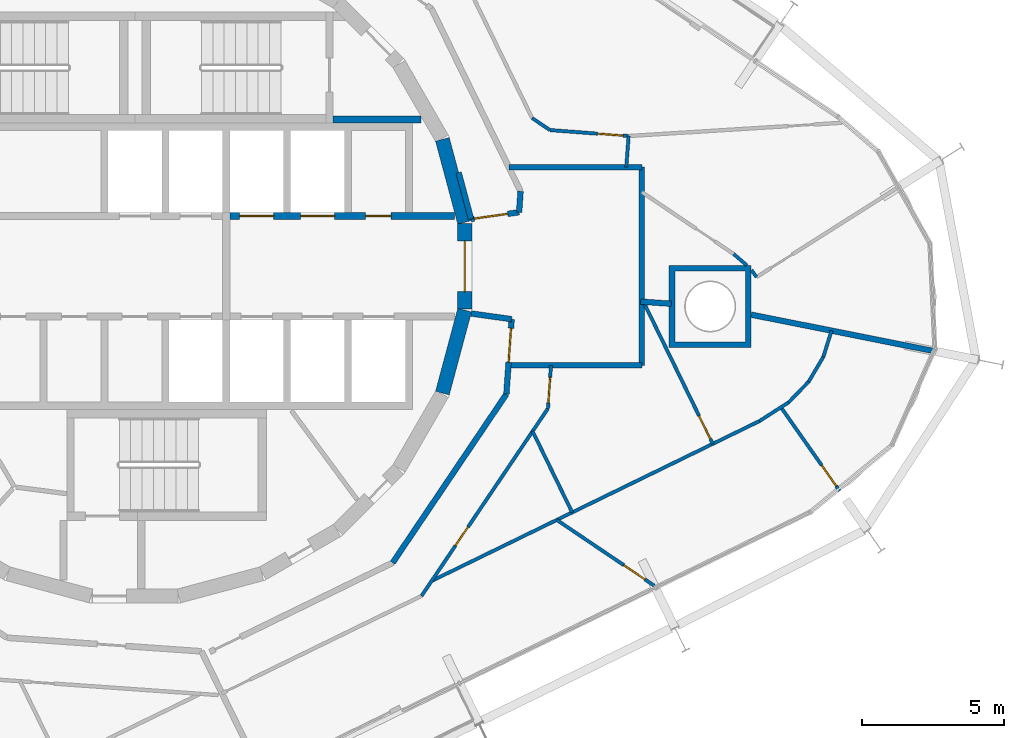
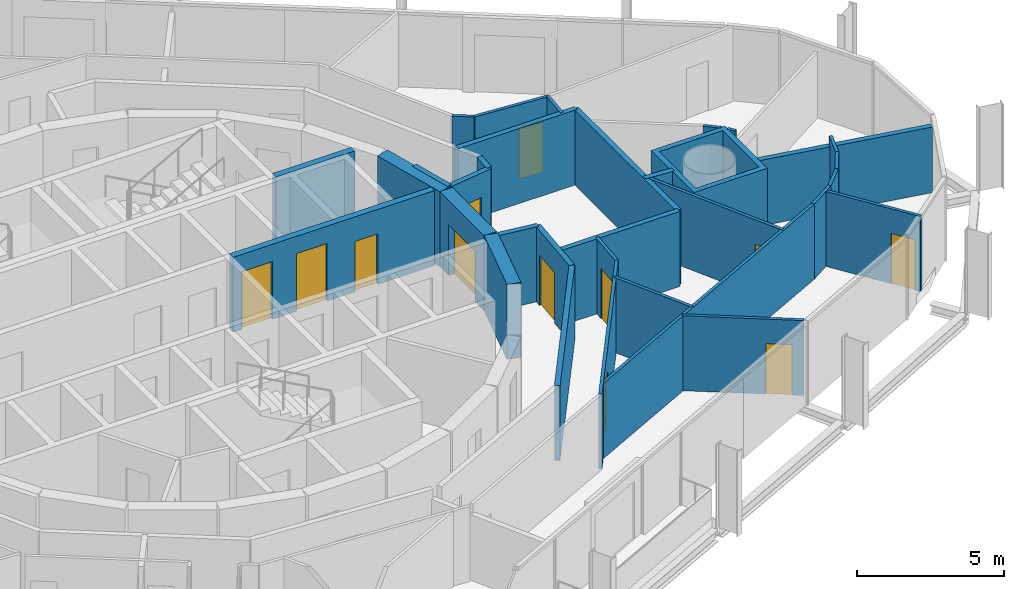
# One storey, part 14 of 18: 33 walls, 12 doors, 12 openings.
"""IFC4 building model written with IfcOpenShell, lengths in metres."""

from ifc_helpers import new_model, si_unit, direction, frame, frame_2d, origin, place, context, subcontext, project, spatial, polyline, rectangle, outline, extrude, material, layer, layer_set, type_object, element, fill, save


model = new_model("IFC4")

# Units and contexts
model_context = context("Model", 3, precision=1e-05, world=origin(), true_north=direction((0.0, 1.0)))
body_context = subcontext(model_context, "Body", "Model", "MODEL_VIEW")
ifc_project = project(units=[si_unit("LENGTHUNIT", "METRE"), si_unit("AREAUNIT", "SQUARE_METRE"), si_unit("VOLUMEUNIT", "CUBIC_METRE"), si_unit("PLANEANGLEUNIT", "RADIAN"), si_unit("MASSUNIT", "GRAM", prefix="KILO")], contexts=[model_context])

# Site, building, storey
site_placement = place(None, origin())
site = spatial("IfcSite", under=ifc_project, at=site_placement, CompositionType="ELEMENT")
building_placement = place(site_placement, origin())
building = spatial("IfcBuilding", under=site, at=building_placement, Name="Spindle Arch Residences", CompositionType="ELEMENT")
storey_placement = place(building_placement, frame((0.0, 0.0, 198.89990234375)))
storey = spatial("IfcBuildingStorey", under=building, at=storey_placement, Name="L50", CompositionType="ELEMENT", Elevation=198.89990234375)

# Wall
ifc_material_1 = material(Name="Concrete C50/60", Category="concrete")
ifc_layer_1 = layer(ifc_material_1, 0.5)
ifc_layer_set_1 = layer_set([ifc_layer_1], Name="Core outline wall 500")
wall_type_1 = type_object("IfcWallType", Name="Core outline wall 500", PredefinedType="SHEAR", material=ifc_layer_set_1)
wall_1_placement = place(storey_placement, frame((10.858154296875, -4.479248046875, 0.0), z_axis=(0.0, 0.0, 1.0), x_axis=(0.258734743916, 0.965948410781, 0.0)))
element("IfcWall", 1, at=wall_1_placement, inside=storey, type_object=wall_type_1, Name="Core outline wall 5", PredefinedType="SHEAR", context=body_context, shape_type="SweptSolid", body=[
    extrude(rectangle(XDim=3.03271484375, YDim=0.5, at=frame_2d((1.516357421875, 0.0))), origin(), (0.0, 0.0, 1.0), 3.1201171875),
])

# Wall, opening, door
wall_2_placement = place(storey_placement, frame((11.647216796875, -1.516357421875, 0.0), z_axis=(0.0, 0.0, 1.0), x_axis=(0.0, 1.0, 0.0)))
wall_2 = element("IfcWall", 2, at=wall_2_placement, inside=storey, type_object=wall_type_1, Name="Core outline wall 6", PredefinedType="SHEAR", context=body_context, shape_type="SweptSolid", body=[
    extrude(rectangle(XDim=3.03271484375, YDim=0.5, at=frame_2d((1.516357421875, 0.0))), origin(), (0.0, 0.0, 1.0), 3.1201171875),
])
opening_1_placement = place(wall_2_placement, frame((0.6162109375, 0.0, 0.0)))
opening_1 = element("IfcOpeningElement", 3, at=opening_1_placement, cuts=wall_2, Name="Opening R5B1-FE01", PredefinedType="OPENING", context=body_context, shape_type="SweptSolid", body=[
    extrude(rectangle(XDim=1.800048828125, YDim=2.10009765625, at=frame_2d((0.89990234375, 1.050048828125))), frame((0.0, 0.260009765625, 0.0), z_axis=(0.0, -1.0, 0.0), x_axis=(1.0, 0.0, 0.0)), (0.0, 0.0, 1.0), 0.52001953125),
])
ifc_material_2 = material(Name="Steel, fire-resisting door", Category="steel")
door_type_1 = type_object("IfcDoorType", Name="Fire-lift lobby door 1800x2100", OperationType="DOUBLE_DOOR_SINGLE_SWING", PredefinedType="DOOR", material=ifc_material_2)
door_1_placement = place(opening_1_placement, origin())
door_1 = element("IfcDoor", 4, at=door_1_placement, inside=storey, type_object=door_type_1, Name="Fire-lift lobby door R5B1-FE01", OperationType="DOUBLE_DOOR_SINGLE_SWING", OverallHeight=2.10009765625, OverallWidth=1.800048828125, PredefinedType="DOOR", context=body_context, shape_type="SweptSolid", body=[
    extrude(rectangle(XDim=1.800048828125, YDim=2.10009765625, at=frame_2d((0.89990234375, 1.050048828125))), frame((0.0, 0.02490234375, 0.0), z_axis=(0.0, -1.0, 0.0), x_axis=(1.0, 0.0, 0.0)), (0.0, 0.0, 1.0), 0.050048828125),
])
fill(opening_1, door_1)

# Walls
wall_3_placement = place(storey_placement, frame((11.642822265625, 1.5498046875, 0.0), z_axis=(0.0, 0.0, 1.0), x_axis=(-0.258734743916, 0.965948410781, 0.0)))
element("IfcWall", 5, at=wall_3_placement, inside=storey, type_object=wall_type_1, Name="Core outline wall 7", PredefinedType="SHEAR", context=body_context, shape_type="SweptSolid", body=[
    extrude(rectangle(XDim=3.03271484375, YDim=0.5, at=frame_2d((1.516357421875, 0.0))), origin(), (0.0, 0.0, 1.0), 3.1201171875),
])
ifc_material_3 = material(Name="Calcium silicate block, plastered")
ifc_layer_2 = layer(ifc_material_3, 0.199951171875)
ifc_layer_set_2 = layer_set([ifc_layer_2], Name="Corridor wall 200")
wall_type_2 = type_object("IfcWallType", Name="Corridor wall 200", PredefinedType="STANDARD", material=ifc_layer_set_2)
wall_4_placement = place(storey_placement, frame((9.101318359375, -10.469970703125, 0.0), z_axis=(0.0, 0.0, 1.0), x_axis=(0.559195469534, 0.829035841718, 0.0)))
element("IfcWall", 6, at=wall_4_placement, inside=storey, type_object=wall_type_2, Name="Corridor wall R5B1-W021", PredefinedType="STANDARD", context=body_context, shape_type="SweptSolid", body=[
    extrude(rectangle(XDim=7.18115234375, YDim=0.199951171875, at=frame_2d((3.590576171875, 0.0))), origin(), (0.0, 0.0, 1.0), 3.1201171875),
])
ifc_material_4 = material(Name="Calcium silicate block, plastered")
ifc_layer_3 = layer(ifc_material_4, 0.199951171875)
ifc_layer_set_3 = layer_set([ifc_layer_3], Name="Fire-lift lobby bay wall 200")
wall_type_3 = type_object("IfcWallType", Name="Fire-lift lobby bay wall 200", PredefinedType="STANDARD", material=ifc_layer_set_3)
wall_5_placement = place(storey_placement, frame((11.8701171875, 1.668212890625, 0.0), z_axis=(0.0, 0.0, 1.0), x_axis=(-0.258836880648, 0.965921047093, 0.0)))
element("IfcWall", 7, at=wall_5_placement, inside=storey, type_object=wall_type_3, Name="Fire-lift lobby bay wall R5B1-W001", PredefinedType="STANDARD", context=body_context, shape_type="SweptSolid", body=[
    extrude(rectangle(XDim=1.695068359375, YDim=0.199951171875, at=frame_2d((0.84765625, 0.0))), origin(), (0.0, 0.0, 1.0), 3.1201171875),
])

# Wall, opening, door
wall_6_placement = place(storey_placement, frame((11.8701171875, 1.668212890625, 0.0), z_axis=(0.0, 0.0, 1.0), x_axis=(0.990271931984, 0.139145609792, 0.0)))
wall_6 = element("IfcWall", 8, at=wall_6_placement, inside=storey, type_object=wall_type_3, Name="Fire-lift lobby bay wall R5B1-W002", PredefinedType="STANDARD", context=body_context, shape_type="SweptSolid", body=[
    extrude(rectangle(XDim=1.71240234375, YDim=0.199951171875, at=frame_2d((0.856201171875, 0.0))), origin(), (0.0, 0.0, 1.0), 3.1201171875),
])
opening_2_placement = place(wall_6_placement, frame((0.110107421875, 0.0, 0.0)))
opening_2 = element("IfcOpeningElement", 9, at=opening_2_placement, cuts=wall_6, Name="Opening R5B1-CD01", PredefinedType="OPENING", context=body_context, shape_type="SweptSolid", body=[
    extrude(rectangle(XDim=1.199951171875, YDim=2.10009765625, at=frame_2d((0.60009765625, 1.050048828125))), frame((0.0, 0.10986328125, 0.0), z_axis=(0.0, -1.0, 0.0), x_axis=(1.0, 0.0, 0.0)), (0.0, 0.0, 1.0), 0.219970703125),
])
ifc_material_5 = material(Name="Steel, fire-resisting door", Category="steel")
door_type_2 = type_object("IfcDoorType", Name="Corridor division door 1200x2100", OperationType="NOTDEFINED", PredefinedType="DOOR", material=ifc_material_5)
door_2_placement = place(opening_2_placement, origin())
door_2 = element("IfcDoor", 10, at=door_2_placement, inside=storey, type_object=door_type_2, Name="Corridor division door R5B1-CD01", OperationType="DOUBLE_DOOR_SINGLE_SWING", OverallHeight=2.10009765625, OverallWidth=1.199951171875, PredefinedType="DOOR", context=body_context, shape_type="SweptSolid", body=[
    extrude(rectangle(XDim=1.199951171875, YDim=2.10009765625, at=frame_2d((0.60009765625, 1.050048828125))), frame((0.0, 0.02490234375, 0.0), z_axis=(0.0, -1.0, 0.0), x_axis=(1.0, 0.0, 0.0)), (0.0, 0.0, 1.0), 0.050048828125),
])
fill(opening_2, door_2)

# Wall
wall_7_placement = place(storey_placement, frame((13.56591796875, 1.906494140625, 0.0), z_axis=(0.0, 0.0, 1.0), x_axis=(0.07005495793, 0.997543133338, 0.0)))
element("IfcWall", 11, at=wall_7_placement, inside=storey, type_object=wall_type_3, Name="Fire-lift lobby bay wall R5B1-W003", PredefinedType="STANDARD", context=body_context, shape_type="SweptSolid", body=[
    extrude(rectangle(XDim=0.7421875, YDim=0.199951171875, at=frame_2d((0.37109375, 0.0))), origin(), (0.0, 0.0, 1.0), 3.1201171875),
])

# Wall, opening, door
wall_8_placement = place(storey_placement, frame((13.116943359375, -4.5166015625, 0.0), z_axis=(0.0, 0.0, 1.0), x_axis=(0.069736659613, 0.997565435601, 0.0)))
wall_8 = element("IfcWall", 12, at=wall_8_placement, inside=storey, type_object=wall_type_3, Name="Fire-lift lobby bay wall R5B1-W013", PredefinedType="STANDARD", context=body_context, shape_type="SweptSolid", body=[
    extrude(rectangle(XDim=2.653564453125, YDim=0.199951171875, at=frame_2d((1.32666015625, 0.0))), origin(), (0.0, 0.0, 1.0), 3.1201171875),
])
opening_3_placement = place(wall_8_placement, frame((1.134033203125, 0.0, 0.0)))
opening_3 = element("IfcOpeningElement", 13, at=opening_3_placement, cuts=wall_8, Name="Opening R5B1-CD02", PredefinedType="OPENING", context=body_context, shape_type="SweptSolid", body=[
    extrude(rectangle(XDim=1.199951171875, YDim=2.10009765625, at=frame_2d((0.60009765625, 1.050048828125))), frame((0.0, 0.10986328125, 0.0), z_axis=(0.0, -1.0, 0.0), x_axis=(1.0, 0.0, 0.0)), (0.0, 0.0, 1.0), 0.219970703125),
])
door_3_placement = place(opening_3_placement, origin())
door_3 = element("IfcDoor", 14, at=door_3_placement, inside=storey, type_object=door_type_2, Name="Corridor division door R5B1-CD02", OperationType="DOUBLE_DOOR_SINGLE_SWING", OverallHeight=2.10009765625, OverallWidth=1.199951171875, PredefinedType="DOOR", context=body_context, shape_type="SweptSolid", body=[
    extrude(rectangle(XDim=1.199951171875, YDim=2.10009765625, at=frame_2d((0.60009765625, 1.050048828125))), frame((0.0, 0.02490234375, 0.0), z_axis=(0.0, -1.0, 0.0), x_axis=(1.0, 0.0, 0.0)), (0.0, 0.0, 1.0), 0.050048828125),
])
fill(opening_3, door_3)

# Walls
wall_9_placement = place(storey_placement, frame((13.302001953125, -1.869384765625, 0.0), z_axis=(0.0, 0.0, 1.0), x_axis=(-0.990274397042, 0.13912806533, 0.0)))
element("IfcWall", 15, at=wall_9_placement, inside=storey, type_object=wall_type_3, Name="Fire-lift lobby bay wall R5B1-W014", PredefinedType="STANDARD", context=body_context, shape_type="SweptSolid", body=[
    extrude(rectangle(XDim=1.446044921875, YDim=0.199951171875, at=frame_2d((0.72314453125, 0.0))), origin(), (0.0, 0.0, 1.0), 3.1201171875),
])
wall_10_placement = place(storey_placement, frame((17.89990234375, 3.5, 0.0), z_axis=(0.0, 0.0, 1.0), x_axis=(-1.0, 0.0, 0.0)))
element("IfcWall", 16, at=wall_10_placement, inside=storey, type_object=wall_type_3, Name="Fire-lift lobby bay wall R5B1-W025", PredefinedType="STANDARD", context=body_context, shape_type="SweptSolid", body=[
    extrude(rectangle(XDim=4.697998046875, YDim=0.199951171875, at=frame_2d((2.34912109375, 0.0))), origin(), (0.0, 0.0, 1.0), 3.1201171875),
])
wall_11_placement = place(storey_placement, frame((17.89990234375, -3.5, 0.0), z_axis=(0.0, 0.0, 1.0), x_axis=(0.0, 1.0, 0.0)))
element("IfcWall", 17, at=wall_11_placement, inside=storey, type_object=wall_type_3, Name="Fire-lift lobby bay wall R5B1-W026", PredefinedType="STANDARD", context=body_context, shape_type="SweptSolid", body=[
    extrude(rectangle(XDim=7.0, YDim=0.199951171875, at=frame_2d((3.5, 0.0))), origin(), (0.0, 0.0, 1.0), 3.1201171875),
])
wall_12_placement = place(storey_placement, frame((13.18798828125, -3.5, 0.0), z_axis=(0.0, 0.0, 1.0), x_axis=(1.0, 0.0, 0.0)))
element("IfcWall", 18, at=wall_12_placement, inside=storey, type_object=wall_type_3, Name="Fire-lift lobby bay wall R5B1-W027", PredefinedType="STANDARD", context=body_context, shape_type="SweptSolid", body=[
    extrude(rectangle(XDim=4.7119140625, YDim=0.199951171875, at=frame_2d((2.35595703125, 0.0))), origin(), (0.0, 0.0, 1.0), 3.1201171875),
])

# Wall, openings, doors
ifc_material_6 = material(Name="Concrete C40/50", Category="concrete")
ifc_layer_4 = layer(ifc_material_6, 0.25)
ifc_layer_set_4 = layer_set([ifc_layer_4], Name="Fire-lift lobby wall 250")
wall_type_4 = type_object("IfcWallType", Name="Fire-lift lobby wall 250", PredefinedType="SHEAR", material=ifc_layer_set_4)
wall_13_placement = place(storey_placement, frame((3.35009765625, 1.77490234375, 0.0), z_axis=(0.0, 0.0, 1.0), x_axis=(1.0, 0.0, 0.0)))
wall_13 = element("IfcWall", 19, at=wall_13_placement, inside=storey, type_object=wall_type_4, Name="Lift shaft front wall NE", PredefinedType="SHEAR", context=body_context, shape_type="SweptSolid", body=[
    extrude(rectangle(XDim=7.929931640625, YDim=0.25, at=frame_2d((3.96484375, 0.0))), origin(), (0.0, 0.0, 1.0), 3.1201171875),
])
opening_4_placement = place(wall_13_placement, frame((0.35009765625, 0.0, 0.0)))
opening_4 = element("IfcOpeningElement", 20, at=opening_4_placement, cuts=wall_13, Name="Opening R5B1-SLD01", PredefinedType="OPENING", context=body_context, shape_type="SweptSolid", body=[
    extrude(rectangle(XDim=1.199951171875, YDim=2.39990234375, at=frame_2d((0.60009765625, 1.199951171875))), frame((0.0, 0.135009765625, 0.0), z_axis=(0.0, -1.0, 0.0), x_axis=(1.0, 0.0, 0.0)), (0.0, 0.0, 1.0), 0.27001953125),
])
opening_5_placement = place(wall_13_placement, frame((2.5, 0.0, 0.0)))
opening_5 = element("IfcOpeningElement", 21, at=opening_5_placement, cuts=wall_13, Name="Opening R5B1-SLD02", PredefinedType="OPENING", context=body_context, shape_type="SweptSolid", body=[
    extrude(rectangle(XDim=1.199951171875, YDim=2.39990234375, at=frame_2d((0.60009765625, 1.199951171875))), frame((0.0, 0.135009765625, 0.0), z_axis=(0.0, -1.0, 0.0), x_axis=(1.0, 0.0, 0.0)), (0.0, 0.0, 1.0), 0.27001953125),
])
opening_6_placement = place(wall_13_placement, frame((4.800048828125, 0.0, 0.0)))
opening_6 = element("IfcOpeningElement", 22, at=opening_6_placement, cuts=wall_13, Name="Opening R5B1-WD02", PredefinedType="OPENING", context=body_context, shape_type="SweptSolid", body=[
    extrude(rectangle(XDim=0.89990234375, YDim=2.10009765625, at=frame_2d((0.449951171875, 1.050048828125))), frame((0.0, 0.135009765625, 0.0), z_axis=(0.0, -1.0, 0.0), x_axis=(1.0, 0.0, 0.0)), (0.0, 0.0, 1.0), 0.27001953125),
])
ifc_material_7 = material(Name="Steel, fire-resisting landing door", Category="steel")
door_type_3 = type_object("IfcDoorType", Name="Service lift landing door 1200x2400", OperationType="DOUBLE_DOOR_SLIDING", PredefinedType="DOOR", material=ifc_material_7)
door_4_placement = place(opening_4_placement, origin())
door_4 = element("IfcDoor", 23, at=door_4_placement, inside=storey, type_object=door_type_3, Name="Service lift landing door R5B1-SLD01", OperationType="DOUBLE_DOOR_SLIDING", OverallHeight=2.39990234375, OverallWidth=1.199951171875, PredefinedType="DOOR", context=body_context, shape_type="SweptSolid", body=[
    extrude(rectangle(XDim=1.199951171875, YDim=2.39990234375, at=frame_2d((0.60009765625, 1.199951171875))), frame((0.0, 0.02490234375, 0.0), z_axis=(0.0, -1.0, 0.0), x_axis=(1.0, 0.0, 0.0)), (0.0, 0.0, 1.0), 0.050048828125),
])
fill(opening_4, door_4)
door_5_placement = place(opening_5_placement, origin())
door_5 = element("IfcDoor", 24, at=door_5_placement, inside=storey, type_object=door_type_3, Name="Service lift landing door R5B1-SLD02", OperationType="DOUBLE_DOOR_SLIDING", OverallHeight=2.39990234375, OverallWidth=1.199951171875, PredefinedType="DOOR", context=body_context, shape_type="SweptSolid", body=[
    extrude(rectangle(XDim=1.199951171875, YDim=2.39990234375, at=frame_2d((0.60009765625, 1.199951171875))), frame((0.0, 0.02490234375, 0.0), z_axis=(0.0, -1.0, 0.0), x_axis=(1.0, 0.0, 0.0)), (0.0, 0.0, 1.0), 0.050048828125),
])
fill(opening_5, door_5)
ifc_material_8 = material(Name="Steel, fire-resisting door", Category="steel")
door_type_4 = type_object("IfcDoorType", Name="Service room door 900x2100", OperationType="SINGLE_SWING_LEFT", PredefinedType="DOOR", material=ifc_material_8)
door_6_placement = place(opening_6_placement, origin())
door_6 = element("IfcDoor", 25, at=door_6_placement, inside=storey, type_object=door_type_4, Name="Service room door R5B1-WD02", OperationType="SINGLE_SWING_RIGHT", OverallHeight=2.10009765625, OverallWidth=0.89990234375, PredefinedType="DOOR", context=body_context, shape_type="SweptSolid", body=[
    extrude(rectangle(XDim=0.89990234375, YDim=2.10009765625, at=frame_2d((0.449951171875, 1.050048828125))), frame((0.0, 0.02490234375, 0.0), z_axis=(0.0, -1.0, 0.0), x_axis=(1.0, 0.0, 0.0)), (0.0, 0.0, 1.0), 0.050048828125),
])
fill(opening_6, door_6)

# Wall
ifc_material_9 = material(Name="Plasterboard on steel studs", Category="steel")
ifc_layer_5 = layer(ifc_material_9, 0.1201171875)
ifc_layer_set_5 = layer_set([ifc_layer_5], Name="Flat partition 120")
wall_type_5 = type_object("IfcWallType", Name="Flat partition 120", PredefinedType="PARTITIONING", material=ifc_layer_set_5)
wall_14_placement = place(storey_placement, frame((17.3505859375, 3.5, 0.0), z_axis=(0.0, 0.0, 1.0), x_axis=(0.075374124137, 0.997155324616, 0.0)))
element("IfcWall", 26, at=wall_14_placement, inside=storey, type_object=wall_type_5, Name="Flat partition R5B1-W038", PredefinedType="PARTITIONING", context=body_context, shape_type="SweptSolid", body=[
    extrude(rectangle(XDim=1.101318359375, YDim=0.1201171875, at=frame_2d((0.55078125, 0.0))), origin(), (0.0, 0.0, 1.0), 3.1201171875),
])

# Wall, opening, door
wall_15_placement = place(storey_placement, frame((17.43359375, 4.59814453125, 0.0), z_axis=(0.0, 0.0, 1.0), x_axis=(-0.997152077354, 0.075417071205, 0.0)))
wall_15 = element("IfcWall", 27, at=wall_15_placement, inside=storey, type_object=wall_type_5, Name="Flat partition R5B1-W039", PredefinedType="PARTITIONING", context=body_context, shape_type="SweptSolid", body=[
    extrude(rectangle(XDim=2.787353515625, YDim=0.1201171875, at=frame_2d((1.3935546875, 0.0))), origin(), (0.0, 0.0, 1.0), 3.1201171875),
])
opening_7_placement = place(wall_15_placement, frame((0.199951171875, 0.0, 0.0)))
opening_7 = element("IfcOpeningElement", 28, at=opening_7_placement, cuts=wall_15, Name="Opening R5B1-ID01", PredefinedType="OPENING", context=body_context, shape_type="SweptSolid", body=[
    extrude(rectangle(XDim=0.89990234375, YDim=2.10009765625, at=frame_2d((0.449951171875, 1.050048828125))), frame((0.0, 0.070068359375, 0.0), z_axis=(0.0, -1.0, 0.0), x_axis=(1.0, 0.0, 0.0)), (0.0, 0.0, 1.0), 0.14013671875),
])
ifc_material_10 = material(Name="Timber door set", Category="wood")
door_type_5 = type_object("IfcDoorType", Name="Room door 900x2100", OperationType="NOTDEFINED", PredefinedType="DOOR", material=ifc_material_10)
door_7_placement = place(opening_7_placement, origin())
door_7 = element("IfcDoor", 29, at=door_7_placement, inside=storey, type_object=door_type_5, Name="Room door R5B1-ID01", OperationType="SINGLE_SWING_LEFT", OverallHeight=2.10009765625, OverallWidth=0.89990234375, PredefinedType="DOOR", context=body_context, shape_type="SweptSolid", body=[
    extrude(rectangle(XDim=0.89990234375, YDim=2.10009765625, at=frame_2d((0.449951171875, 1.050048828125))), frame((0.0, 0.02490234375, 0.0), z_axis=(0.0, -1.0, 0.0), x_axis=(1.0, 0.0, 0.0)), (0.0, 0.0, 1.0), 0.050048828125),
])
fill(opening_7, door_7)

# Walls
wall_16_placement = place(storey_placement, frame((14.654296875, 4.808349609375, 0.0), z_axis=(0.0, 0.0, 1.0), x_axis=(-0.829065184024, 0.559151965604, 0.0)))
element("IfcWall", 30, at=wall_16_placement, inside=storey, type_object=wall_type_5, Name="Flat partition R5B1-W040", PredefinedType="PARTITIONING", context=body_context, shape_type="SweptSolid", body=[
    extrude(rectangle(XDim=0.758056640625, YDim=0.1201171875, at=frame_2d((0.37890625, 0.0))), origin(), (0.0, 0.0, 1.0), 3.1201171875),
])
wall_17_placement = place(storey_placement, frame((21.610107421875, 0.02978515625, 0.0), z_axis=(0.0, 0.0, 1.0), x_axis=(-0.758532196215, 0.651635563259, 0.0)))
element("IfcWall", 31, at=wall_17_placement, inside=storey, type_object=wall_type_5, Name="Flat partition R5B1-W043", PredefinedType="PARTITIONING", context=body_context, shape_type="SweptSolid", body=[
    extrude(rectangle(XDim=0.618896484375, YDim=0.1201171875, at=frame_2d((0.3095703125, 0.0))), origin(), (0.0, 0.0, 1.0), 3.1201171875),
])
wall_18_placement = place(storey_placement, frame((21.77197265625, -0.13623046875, 0.0), z_axis=(0.0, 0.0, 1.0), x_axis=(0.587310294779, -0.809361858285, 0.0)))
element("IfcWall", 32, at=wall_18_placement, inside=storey, type_object=wall_type_5, Name="Flat partition R5B1-W046", PredefinedType="PARTITIONING", context=body_context, shape_type="SweptSolid", body=[
    extrude(rectangle(XDim=0.303466796875, YDim=0.1201171875, at=frame_2d((0.15185546875, 0.0))), origin(), (0.0, 0.0, 1.0), 3.1201171875),
])

# Wall, opening, door
wall_19_placement = place(storey_placement, frame((10.1201171875, -11.641845703125, 0.0), z_axis=(0.0, 0.0, 1.0), x_axis=(0.55920080659, 0.829032241779, 0.0)))
wall_19 = element("IfcWall", 33, at=wall_19_placement, inside=storey, type_object=wall_type_5, Name="Flat partition R5B1-W102", PredefinedType="PARTITIONING", context=body_context, shape_type="SweptSolid", body=[
    extrude(rectangle(XDim=7.98486328125, YDim=0.1201171875, at=frame_2d((3.992431640625, 0.0))), origin(), (0.0, 0.0, 1.0), 3.1201171875),
])
opening_8_placement = place(wall_19_placement, frame((2.138427734375, 0.0, 0.0)))
opening_8 = element("IfcOpeningElement", 34, at=opening_8_placement, cuts=wall_19, Name="Opening R5B1-BD06", PredefinedType="OPENING", context=body_context, shape_type="SweptSolid", body=[
    extrude(rectangle(XDim=0.800048828125, YDim=2.10009765625, at=frame_2d((0.39990234375, 1.050048828125))), frame((0.0, 0.070068359375, 0.0), z_axis=(0.0, -1.0, 0.0), x_axis=(1.0, 0.0, 0.0)), (0.0, 0.0, 1.0), 0.14013671875),
])
ifc_material_11 = material(Name="Timber door set", Category="wood")
door_type_6 = type_object("IfcDoorType", Name="Bathroom door 800x2100", OperationType="NOTDEFINED", PredefinedType="DOOR", material=ifc_material_11)
door_8_placement = place(opening_8_placement, origin())
door_8 = element("IfcDoor", 35, at=door_8_placement, inside=storey, type_object=door_type_6, Name="Bathroom door R5B1-BD06", OperationType="SINGLE_SWING_RIGHT", OverallHeight=2.10009765625, OverallWidth=0.800048828125, PredefinedType="DOOR", context=body_context, shape_type="SweptSolid", body=[
    extrude(rectangle(XDim=0.800048828125, YDim=2.10009765625, at=frame_2d((0.39990234375, 1.050048828125))), frame((0.0, 0.02490234375, 0.0), z_axis=(0.0, -1.0, 0.0), x_axis=(1.0, 0.0, 0.0)), (0.0, 0.0, 1.0), 0.050048828125),
])
fill(opening_8, door_8)

wall_20_placement = place(storey_placement, frame((14.585205078125, -5.022216796875, 0.0), z_axis=(0.0, 0.0, 1.0), x_axis=(0.069757481187, 0.997563979812, 0.0)))
wall_20 = element("IfcWall", 36, at=wall_20_placement, inside=storey, type_object=wall_type_5, Name="Flat partition R5B1-W103", PredefinedType="PARTITIONING", context=body_context, shape_type="SweptSolid", body=[
    extrude(rectangle(XDim=1.52587890625, YDim=0.1201171875, at=frame_2d((0.762939453125, 0.0))), origin(), (0.0, 0.0, 1.0), 3.1201171875),
])
opening_9_placement = place(wall_20_placement, frame((0.199951171875, 0.0, 0.0)))
opening_9 = element("IfcOpeningElement", 37, at=opening_9_placement, cuts=wall_20, Name="Opening R5B1-ID23", PredefinedType="OPENING", context=body_context, shape_type="SweptSolid", body=[
    extrude(rectangle(XDim=0.89990234375, YDim=2.10009765625, at=frame_2d((0.449951171875, 1.050048828125))), frame((0.0, 0.070068359375, 0.0), z_axis=(0.0, -1.0, 0.0), x_axis=(1.0, 0.0, 0.0)), (0.0, 0.0, 1.0), 0.14013671875),
])
door_9_placement = place(opening_9_placement, origin())
door_9 = element("IfcDoor", 38, at=door_9_placement, inside=storey, type_object=door_type_5, Name="Room door R5B1-ID23", OperationType="SINGLE_SWING_RIGHT", OverallHeight=2.10009765625, OverallWidth=0.89990234375, PredefinedType="DOOR", context=body_context, shape_type="SweptSolid", body=[
    extrude(rectangle(XDim=0.89990234375, YDim=2.10009765625, at=frame_2d((0.449951171875, 1.050048828125))), frame((0.0, 0.02490234375, 0.0), z_axis=(0.0, -1.0, 0.0), x_axis=(1.0, 0.0, 0.0)), (0.0, 0.0, 1.0), 0.050048828125),
])
fill(opening_9, door_9)

# Wall
wall_21_placement = place(storey_placement, frame((22.05224609375, -5.467041015625, 0.0), z_axis=(0.0, 0.0, 1.0), x_axis=(-0.898796865831, -0.438365365846, 0.0)))
element("IfcWall", 39, at=wall_21_placement, inside=storey, type_object=wall_type_5, Name="Flat partition R5B1-W104", PredefinedType="PARTITIONING", context=body_context, shape_type="SweptSolid", body=[
    extrude(rectangle(XDim=12.878662109375, YDim=0.1201171875, at=frame_2d((6.439453125, 0.0))), origin(), (0.0, 0.0, 1.0), 3.1201171875),
])

# Wall, opening, door
wall_22_placement = place(storey_placement, frame((18.342529296875, -11.28173828125, 0.0), z_axis=(0.0, 0.0, 1.0), x_axis=(-0.829047434778, 0.559178281845, 0.0)))
wall_22 = element("IfcWall", 40, at=wall_22_placement, inside=storey, type_object=wall_type_5, Name="Flat partition R5B1-W105", PredefinedType="PARTITIONING", context=body_context, shape_type="SweptSolid", body=[
    extrude(rectangle(XDim=4.156982421875, YDim=0.1201171875, at=frame_2d((2.07861328125, 0.0))), origin(), (0.0, 0.0, 1.0), 3.1201171875),
])
opening_10_placement = place(wall_22_placement, frame((0.39990234375, 0.0, 0.0)))
opening_10 = element("IfcOpeningElement", 41, at=opening_10_placement, cuts=wall_22, Name="Opening R5B1-ID25", PredefinedType="OPENING", context=body_context, shape_type="SweptSolid", body=[
    extrude(rectangle(XDim=0.89990234375, YDim=2.10009765625, at=frame_2d((0.449951171875, 1.050048828125))), frame((0.0, 0.070068359375, 0.0), z_axis=(0.0, -1.0, 0.0), x_axis=(1.0, 0.0, 0.0)), (0.0, 0.0, 1.0), 0.14013671875),
])
door_10_placement = place(opening_10_placement, origin())
door_10 = element("IfcDoor", 42, at=door_10_placement, inside=storey, type_object=door_type_5, Name="Room door R5B1-ID25", OperationType="SINGLE_SWING_RIGHT", OverallHeight=2.10009765625, OverallWidth=0.89990234375, PredefinedType="DOOR", context=body_context, shape_type="SweptSolid", body=[
    extrude(rectangle(XDim=0.89990234375, YDim=2.10009765625, at=frame_2d((0.449951171875, 1.050048828125))), frame((0.0, 0.02490234375, 0.0), z_axis=(0.0, -1.0, 0.0), x_axis=(1.0, 0.0, 0.0)), (0.0, 0.0, 1.0), 0.050048828125),
])
fill(opening_10, door_10)

# Wall
wall_23_placement = place(storey_placement, frame((15.440185546875, -8.69189453125, 0.0), z_axis=(0.0, 0.0, 1.0), x_axis=(-0.438339139088, 0.898809656792, 0.0)))
element("IfcWall", 43, at=wall_23_placement, inside=storey, type_object=wall_type_5, Name="Flat partition R5B1-W106", PredefinedType="PARTITIONING", context=body_context, shape_type="SweptSolid", body=[
    extrude(rectangle(XDim=3.18798828125, YDim=0.1201171875, at=frame_2d((1.593994140625, 0.0))), origin(), (0.0, 0.0, 1.0), 3.1201171875),
])

# Wall, opening, door
wall_24_placement = place(storey_placement, frame((24.8828125, -7.9287109375, 0.0), z_axis=(0.0, 0.0, 1.0), x_axis=(-0.574753041075, 0.818326916198, 0.0)))
wall_24 = element("IfcWall", 44, at=wall_24_placement, inside=storey, type_object=wall_type_5, Name="Flat partition R5B1-W107", PredefinedType="PARTITIONING", context=body_context, shape_type="SweptSolid", body=[
    extrude(rectangle(XDim=3.603271484375, YDim=0.1201171875, at=frame_2d((1.8017578125, 0.0))), origin(), (0.0, 0.0, 1.0), 3.1201171875),
])
opening_11_placement = place(wall_24_placement, frame((0.199951171875, 0.0, 0.0)))
opening_11 = element("IfcOpeningElement", 45, at=opening_11_placement, cuts=wall_24, Name="Opening R5B1-ID26", PredefinedType="OPENING", context=body_context, shape_type="SweptSolid", body=[
    extrude(rectangle(XDim=0.89990234375, YDim=2.10009765625, at=frame_2d((0.449951171875, 1.050048828125))), frame((0.0, 0.070068359375, 0.0), z_axis=(0.0, -1.0, 0.0), x_axis=(1.0, 0.0, 0.0)), (0.0, 0.0, 1.0), 0.14013671875),
])
door_11_placement = place(opening_11_placement, origin())
door_11 = element("IfcDoor", 46, at=door_11_placement, inside=storey, type_object=door_type_5, Name="Room door R5B1-ID26", OperationType="SINGLE_SWING_RIGHT", OverallHeight=2.10009765625, OverallWidth=0.89990234375, PredefinedType="DOOR", context=body_context, shape_type="SweptSolid", body=[
    extrude(rectangle(XDim=0.89990234375, YDim=2.10009765625, at=frame_2d((0.449951171875, 1.050048828125))), frame((0.0, 0.02490234375, 0.0), z_axis=(0.0, -1.0, 0.0), x_axis=(1.0, 0.0, 0.0)), (0.0, 0.0, 1.0), 0.050048828125),
])
fill(opening_11, door_11)

# Wall
wall_25_placement = place(storey_placement, frame((23.085205078125, -4.8046875, 0.0), z_axis=(0.0, 0.0, 1.0), x_axis=(-0.841804960937, -0.539781814942, 0.0)))
element("IfcWall", 47, at=wall_25_placement, inside=storey, type_object=wall_type_5, Name="Flat partition R5B1-W108", PredefinedType="PARTITIONING", context=body_context, shape_type="SweptSolid", body=[
    extrude(rectangle(XDim=1.22705078125, YDim=0.1201171875, at=frame_2d((0.613525390625, 0.0))), origin(), (0.0, 0.0, 1.0), 3.1201171875),
])

# Wall, opening, door
wall_26_placement = place(storey_placement, frame((20.4033203125, -6.271240234375, 0.0), z_axis=(0.0, 0.0, 1.0), x_axis=(-0.438371913736, 0.898793672234, 0.0)))
wall_26 = element("IfcWall", 48, at=wall_26_placement, inside=storey, type_object=wall_type_5, Name="Flat partition R5B1-W109", PredefinedType="PARTITIONING", context=body_context, shape_type="SweptSolid", body=[
    extrude(rectangle(XDim=5.580322265625, YDim=0.1201171875, at=frame_2d((2.7900390625, 0.0))), origin(), (0.0, 0.0, 1.0), 3.1201171875),
])
opening_12_placement = place(wall_26_placement, frame((0.199951171875, 0.0, 0.0)))
opening_12 = element("IfcOpeningElement", 49, at=opening_12_placement, cuts=wall_26, Name="Opening R5B1-ID24", PredefinedType="OPENING", context=body_context, shape_type="SweptSolid", body=[
    extrude(rectangle(XDim=0.89990234375, YDim=2.10009765625, at=frame_2d((0.449951171875, 1.050048828125))), frame((0.0, 0.070068359375, 0.0), z_axis=(0.0, -1.0, 0.0), x_axis=(1.0, 0.0, 0.0)), (0.0, 0.0, 1.0), 0.14013671875),
])
door_12_placement = place(opening_12_placement, origin())
door_12 = element("IfcDoor", 50, at=door_12_placement, inside=storey, type_object=door_type_5, Name="Room door R5B1-ID24", OperationType="SINGLE_SWING_RIGHT", OverallHeight=2.10009765625, OverallWidth=0.89990234375, PredefinedType="DOOR", context=body_context, shape_type="SweptSolid", body=[
    extrude(rectangle(XDim=0.89990234375, YDim=2.10009765625, at=frame_2d((0.449951171875, 1.050048828125))), frame((0.0, 0.02490234375, 0.0), z_axis=(0.0, -1.0, 0.0), x_axis=(1.0, 0.0, 0.0)), (0.0, 0.0, 1.0), 0.050048828125),
])
fill(opening_12, door_12)

# Walls
wall_27_placement = place(storey_placement, frame((24.597900390625, -2.274658203125, 0.0), z_axis=(0.0, 0.0, 1.0), x_axis=(-0.297959469991, -0.95457852178, 0.0)))
element("IfcWall", 51, at=wall_27_placement, inside=storey, type_object=wall_type_5, Name="Flat partition R5B1-W110", PredefinedType="PARTITIONING", context=body_context, shape_type="SweptSolid", body=[
    extrude(rectangle(XDim=0.96923828125, YDim=0.1201171875, at=frame_2d((0.484619140625, 0.0))), origin(), (0.0, 0.0, 1.0), 3.1201171875),
])
wall_28_placement = place(storey_placement, frame((24.30908203125, -3.199951171875, 0.0), z_axis=(0.0, 0.0, 1.0), x_axis=(-0.509894600044, -0.860236884146, 0.0)))
element("IfcWall", 52, at=wall_28_placement, inside=storey, type_object=wall_type_5, Name="Flat partition R5B1-W111", PredefinedType="PARTITIONING", context=body_context, shape_type="SweptSolid", body=[
    extrude(rectangle(XDim=1.01611328125, YDim=0.1201171875, at=frame_2d((0.508056640625, 0.0))), origin(), (0.0, 0.0, 1.0), 3.1201171875),
])
wall_29_placement = place(storey_placement, frame((23.791015625, -4.073974609375, 0.0), z_axis=(0.0, 0.0, 1.0), x_axis=(-0.694744601716, -0.719256517792, 0.0)))
element("IfcWall", 53, at=wall_29_placement, inside=storey, type_object=wall_type_5, Name="Flat partition R5B1-W112", PredefinedType="PARTITIONING", context=body_context, shape_type="SweptSolid", body=[
    extrude(rectangle(XDim=1.015869140625, YDim=0.1201171875, at=frame_2d((0.5078125, 0.0))), origin(), (0.0, 0.0, 1.0), 3.1201171875),
])
ifc_material_12 = material(Name="Calcium silicate block, plastered")
ifc_layer_6 = layer(ifc_material_12, 0.199951171875)
ifc_layer_set_6 = layer_set([ifc_layer_6], Name="Flat party wall 200")
wall_type_6 = type_object("IfcWallType", Name="Flat party wall 200", PredefinedType="STANDARD", material=ifc_layer_set_6)
wall_30_placement = place(storey_placement, frame((17.857421875, -1.24853515625, 0.0), z_axis=(0.0, 0.0, 1.0), x_axis=(0.997556932604, -0.069858186453, 0.0)))
element("IfcWall", 54, at=wall_30_placement, inside=storey, type_object=wall_type_6, Name="Flat party wall R5B1-W029", PredefinedType="STANDARD", context=body_context, shape_type="SweptSolid", body=[
    extrude(rectangle(XDim=1.0869140625, YDim=0.199951171875, at=frame_2d((0.54345703125, 0.0))), origin(), (0.0, 0.0, 1.0), 3.1201171875),
])
ifc_material_13 = material(Name="Calcium silicate block, plastered")
ifc_layer_7 = layer(ifc_material_13, 0.199951171875)
ifc_layer_set_7 = layer_set([ifc_layer_7], Name="Flat party wall 200 under beam 2730")
wall_type_7 = type_object("IfcWallType", Name="Flat party wall 200 under beam 2730", PredefinedType="STANDARD", material=ifc_layer_set_7)
wall_31_placement = place(storey_placement, frame((21.761962890625, -1.70947265625, 0.0), z_axis=(0.0, 0.0, 1.0), x_axis=(0.980707365343, -0.195481619501, 0.0)))
element("IfcWall", 55, at=wall_31_placement, inside=storey, type_object=wall_type_7, Name="Flat party wall R5B1-W030", PredefinedType="STANDARD", context=body_context, shape_type="SweptSolid", body=[
    extrude(rectangle(XDim=6.511962890625, YDim=0.199951171875, at=frame_2d((3.255859375, 0.0))), origin(), (0.0, 0.0, 1.0), 2.72998046875),
])
ifc_material_14 = material(Name="Calcium silicate block, plastered")
ifc_layer_8 = layer(ifc_material_14, 0.199951171875)
ifc_layer_set_8 = layer_set([ifc_layer_8], Name="Mega-column casing wall 200")
wall_type_8 = type_object("IfcWallType", Name="Mega-column casing wall 200", PredefinedType="STANDARD", material=ifc_layer_set_8)
wall_32_placement = place(storey_placement, origin())
element("IfcWall", 56, at=wall_32_placement, inside=storey, type_object=wall_type_8, Name="Mega-column casing wall R5B1-WC03", PredefinedType="STANDARD", context=body_context, shape_type="SweptSolid", body=[
    extrude(outline(polyline([(21.761962890625, 0.02978515625), (21.761962890625, -2.870361328125), (18.86181640625, -2.870361328125), (18.86181640625, 0.02978515625), (21.761962890625, 0.02978515625)]), holes=[polyline([(19.06201171875, -2.67041015625), (21.56201171875, -2.67041015625), (21.56201171875, -0.17041015625), (19.06201171875, -0.17041015625), (19.06201171875, -2.67041015625)])]), origin(), (0.0, 0.0, 1.0), 3.1201171875),
])
ifc_material_15 = material(Name="Concrete C40/50", Category="concrete")
ifc_layer_9 = layer(ifc_material_15, 0.25)
ifc_layer_set_9 = layer_set([ifc_layer_9], Name="Stair airlock wall 250")
wall_type_9 = type_object("IfcWallType", Name="Stair airlock wall 250", PredefinedType="SHEAR", material=ifc_layer_set_9)
wall_33_placement = place(storey_placement, frame((7.0, 5.175048828125, 0.0), z_axis=(0.0, 0.0, 1.0), x_axis=(1.0, 0.0, 0.0)))
element("IfcWall", 57, at=wall_33_placement, inside=storey, type_object=wall_type_9, Name="Stair ST-1 airlock wall S", PredefinedType="SHEAR", context=body_context, shape_type="SweptSolid", body=[
    extrude(rectangle(XDim=3.10009765625, YDim=0.25, at=frame_2d((1.550048828125, 0.0))), origin(), (0.0, 0.0, 1.0), 3.1201171875),
])

save(model, "model.ifc")
